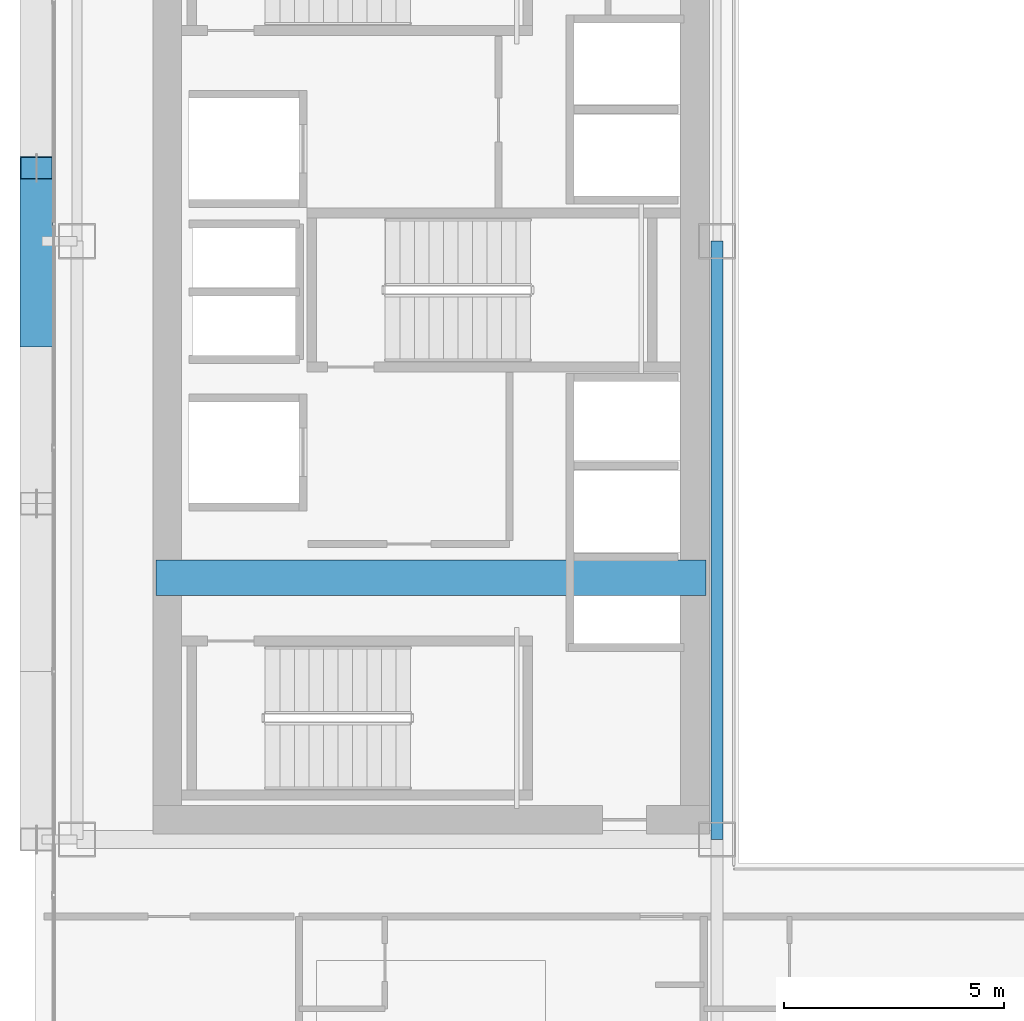
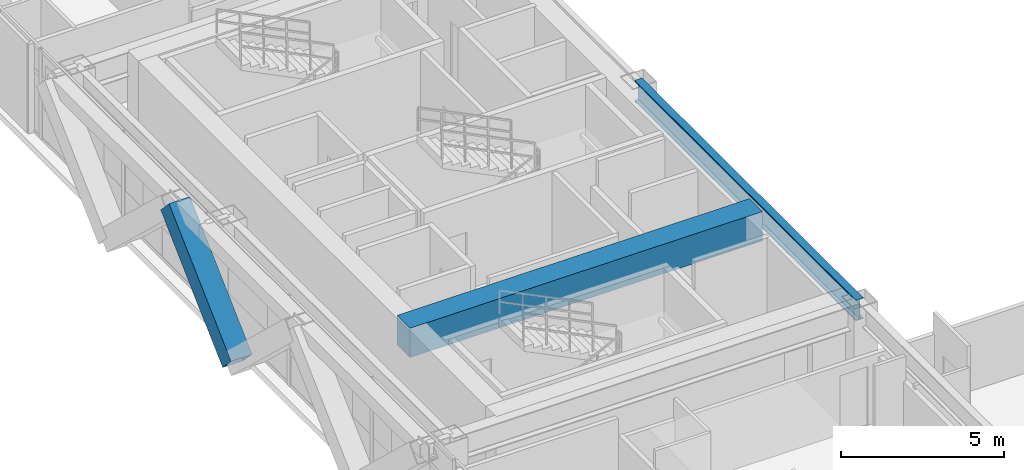
# One storey, part 7 of 34: 2 beams, 1 member.
"""IFC4 building model written with IfcOpenShell, lengths in metres."""

from ifc_helpers import new_model, si_unit, direction, frame, origin, origin_2d, place, context, subcontext, project, spatial, rectangle, hollow_rectangle, i_section, extrude, source, transform, mapped, material, material_profile, profile_set, type_object, element, save


model = new_model("IFC4")

# Units and contexts
model_context = context("Model", 3, precision=1e-05, world=origin(), true_north=direction((0.0, 1.0)))
body_context = subcontext(model_context, "Body", "Model", "MODEL_VIEW")
ifc_project = project(units=[si_unit("LENGTHUNIT", "METRE"), si_unit("AREAUNIT", "SQUARE_METRE"), si_unit("VOLUMEUNIT", "CUBIC_METRE"), si_unit("PLANEANGLEUNIT", "RADIAN"), si_unit("MASSUNIT", "GRAM", prefix="KILO")], contexts=[model_context])

# Site, building, storey
site_placement = place(None, origin())
site = spatial("IfcSite", under=ifc_project, at=site_placement, CompositionType="ELEMENT")
building_placement = place(site_placement, origin())
building = spatial("IfcBuilding", under=site, at=building_placement, Name="Ocotamira Hotel", CompositionType="ELEMENT")
storey_placement = place(building_placement, frame((0.0, 0.0, 108.0)))
storey = spatial("IfcBuildingStorey", under=building, at=storey_placement, Name="L26", CompositionType="ELEMENT", Elevation=108.0)

# Beams
ifc_material_1 = material(Name="Concrete C60/75", Category="concrete")
ifc_material_profile_1 = material_profile(ifc_material_1, rectangle(XDim=0.800048828125, YDim=1.10009765625, at=origin_2d()), Name="RC800X1100")
ifc_profile_set_1 = profile_set([ifc_material_profile_1], Name="Concrete C60/75")
beam_type_1 = type_object("IfcBeamType", Name="BM-LINK-RC800", PredefinedType="LINTEL", material=ifc_profile_set_1)
shared_shape_1 = source(origin(), body_context, "Body", "SweptSolid", [
    extrude(rectangle(XDim=0.800048828125, YDim=1.10009765625, at=origin_2d()), origin(), (0.0, 0.0, 1.0), 12.5),
])
beam_1_placement = place(storey_placement, frame((10.75, 20.5, 2.81005859375), z_axis=(1.0, 0.0, 0.0), x_axis=(0.0, 1.0, 0.0)))
element("IfcBeam", 1, at=beam_1_placement, inside=storey, type_object=beam_type_1, Name="L26 West Core Coupling Beam", PredefinedType="LINTEL", context=body_context, shape_type="MappedRepresentation", body=[
    mapped(shared_shape_1, transform((0.0, 0.0, 0.0), scale=1.0)),
])
ifc_material_2 = material(Name="Steel ASTM A992 Grade 50", Category="steel")
ifc_material_profile_2 = material_profile(ifc_material_2, i_section(OverallWidth=0.26611328125, OverallDepth=0.779052734375, WebThickness=0.0166015625, FlangeThickness=0.030029296875, FilletRadius=0.01806640625, at=origin_2d()), Name="W30X148")
ifc_profile_set_2 = profile_set([ifc_material_profile_2], Name="Steel ASTM A992 Grade 50")
beam_type_2 = type_object("IfcBeamType", Name="BM-GIRD-W30X148", PredefinedType="BEAM", material=ifc_profile_set_2)
shared_shape_2 = source(origin(), body_context, "Body", "SweptSolid", [
    extrude(i_section(OverallWidth=0.26611328125, OverallDepth=0.779052734375, WebThickness=0.0166015625, FlangeThickness=0.030029296875, FilletRadius=0.01806640625, at=origin_2d()), origin(), (0.0, 0.0, 1.0), 13.599853515625),
])
beam_2_placement = place(storey_placement, frame((23.5, 14.550048828125, 2.970458984375), z_axis=(0.0, 1.0, 0.0), x_axis=(-1.0, 0.0, 0.0)))
element("IfcBeam", 2, at=beam_2_placement, inside=storey, type_object=beam_type_2, Name="L26 Beam X23.5 Y14.55-28.15", PredefinedType="BEAM", context=body_context, shape_type="MappedRepresentation", body=[
    mapped(shared_shape_2, transform((0.0, 0.0, 0.0), scale=1.0)),
])

# Member
ifc_material_3 = material(Name="Pale-metal coated steel ASTM A913 Grade 65", Category="steel")
ifc_material_profile_3 = material_profile(ifc_material_3, hollow_rectangle(XDim=0.75, YDim=0.75, WallThickness=0.028076171875, at=origin_2d()), Name="BOX750X750X28")
ifc_profile_set_3 = profile_set([ifc_material_profile_3], Name="Pale-metal coated steel ASTM A913 Grade 65")
member_type = type_object("IfcMemberType", Name="MEM-EXO-BOX750", PredefinedType="BRACE", material=ifc_profile_set_3)
shared_shape_3 = source(origin(), body_context, "Body", "SweptSolid", [
    extrude(hollow_rectangle(XDim=0.75, YDim=0.75, WallThickness=0.028076171875, at=origin_2d()), origin(), (0.0, 0.0, 1.0), 5.24658203125),
])
member_placement = place(storey_placement, frame((8.030029296875, 26.0, -0.489990234375), z_axis=(0.0, 0.727442733726, 0.686168397078), x_axis=(-1.0, 0.0, 0.0)))
element("IfcMember", 3, at=member_placement, inside=storey, type_object=member_type, Name="L26 Exoskeleton Diagrid W1.2", PredefinedType="BRACE", context=body_context, shape_type="MappedRepresentation", body=[
    mapped(shared_shape_3, transform((0.0, 0.0, 0.0), scale=1.0)),
])

save(model, "model.ifc")
